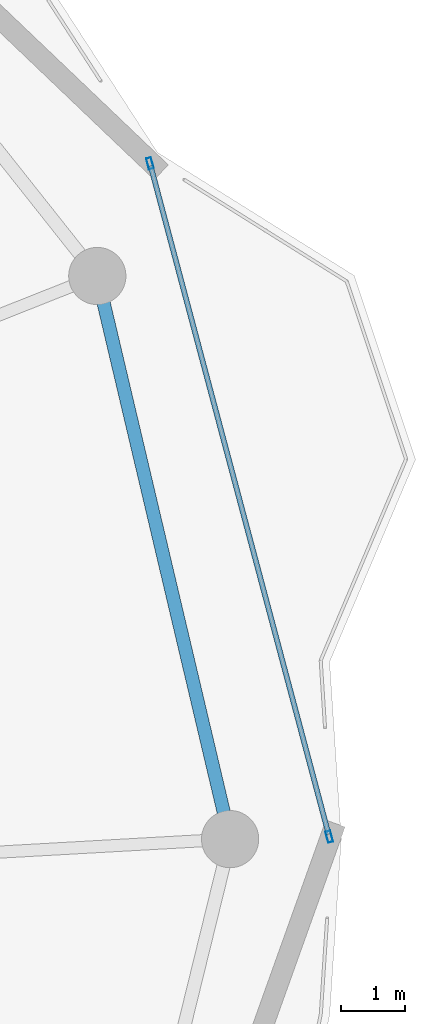
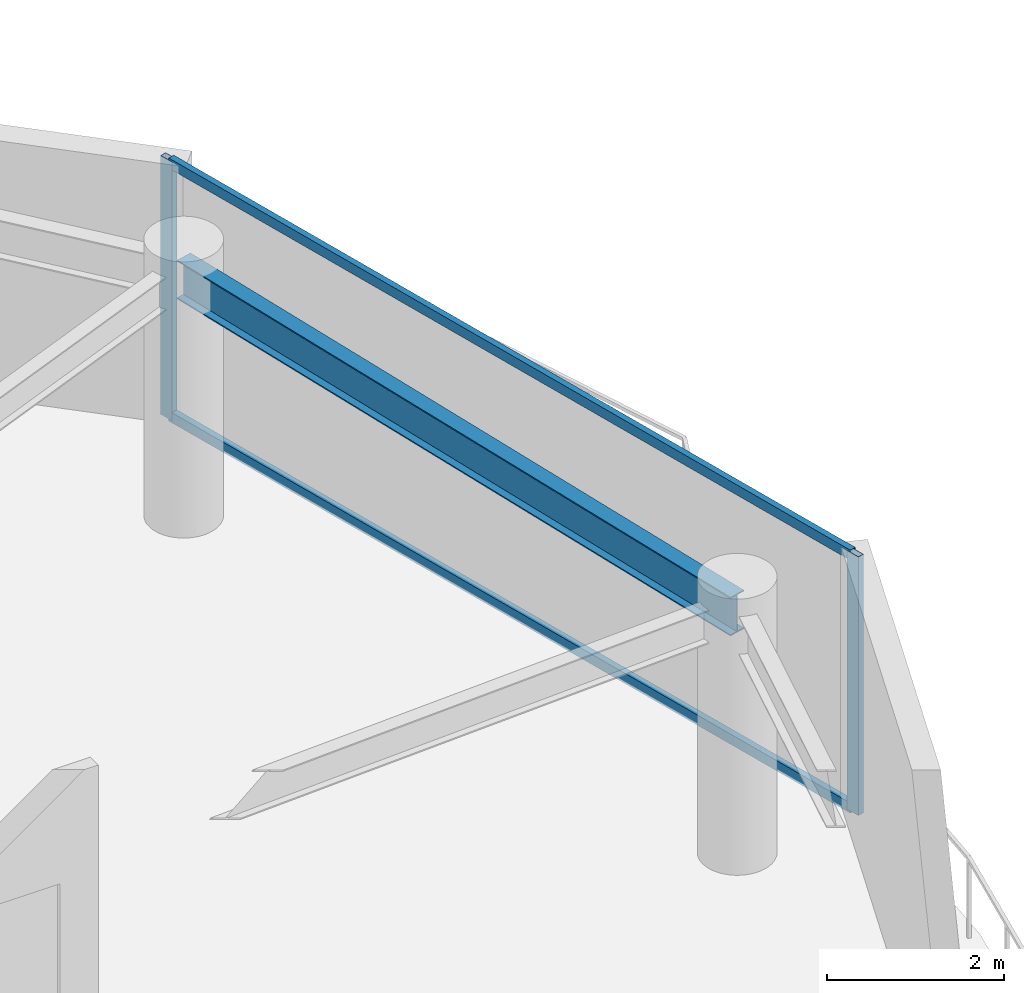
# One storey, part 17 of 29: 4 members, 1 beam, 1 element without a shape of its own.
"""IFC4 building model written with IfcOpenShell, lengths in metres."""

from ifc_helpers import new_model, si_unit, direction, frame, origin, origin_2d, place, context, subcontext, project, spatial, hollow_rectangle, i_section, extrude, material, layer, layer_set, material_profile, profile_set, type_object, element, aggregate, save


model = new_model("IFC4")

# Units and contexts
model_context = context("Model", 3, precision=1e-05, world=origin(), true_north=direction((0.0, 1.0)))
body_context = subcontext(model_context, "Body", "Model", "MODEL_VIEW")
ifc_project = project(units=[si_unit("LENGTHUNIT", "METRE"), si_unit("AREAUNIT", "SQUARE_METRE"), si_unit("VOLUMEUNIT", "CUBIC_METRE"), si_unit("PLANEANGLEUNIT", "RADIAN"), si_unit("MASSUNIT", "GRAM", prefix="KILO")], contexts=[model_context])

# Site, building, storey
site_placement = place(None, origin())
site = spatial("IfcSite", under=ifc_project, at=site_placement, CompositionType="ELEMENT")
building_placement = place(site_placement, origin())
building = spatial("IfcBuilding", under=site, at=building_placement, Name="Kazevale Care Tower and Concert Hall", CompositionType="ELEMENT")
storey_placement = place(building_placement, frame((0.0, 0.0, 285.199951171875)))
storey = spatial("IfcBuildingStorey", under=building, at=storey_placement, Name="L75", CompositionType="ELEMENT", Elevation=285.199951171875)

# Curtain wall, members
ifc_material_1 = material(Name="Aluminium 6063-T6 and Low-E Glass", Category="aluminium")
ifc_layer = layer(ifc_material_1, 0.179931640625)
ifc_layer_set = layer_set([ifc_layer], Name="Aluminium 6063-T6 and Low-E Glass")
curtain_wall_type = type_object("IfcCurtainWallType", Name="Waist & Upper Residential Curtain Wall CW-4", PredefinedType="NOTDEFINED", material=ifc_layer_set)
curtain_wall_placement = place(storey_placement, origin())
curtain_wall = element("IfcCurtainWall", 1, at=curtain_wall_placement, inside=storey, type_object=curtain_wall_type, Name="cw:L75:f18", PredefinedType="NOTDEFINED")
ifc_material_2 = material(Name="Aluminium 6063-T6", Category="aluminium")
ifc_material_profile_1 = material_profile(ifc_material_2, hollow_rectangle(XDim=0.080078125, YDim=0.179931640625, WallThickness=0.0048828125, at=origin_2d()), Name="ALU80x180x5")
ifc_profile_set_1 = profile_set([ifc_material_profile_1], Name="Aluminium 6063-T6")
member_type_1 = type_object("IfcMemberType", Name="CW-4 Mullion ALU80x180x5", PredefinedType="MULLION", material=ifc_profile_set_1)
member_1_placement = place(storey_placement, frame((71.189208984375, 48.63330078125, 0.0), z_axis=(0.0, 0.0, 1.0), x_axis=(0.966344563475, 0.257251209214, 0.0)))
member_1 = element("IfcMember", 2, at=member_1_placement, type_object=member_type_1, Name="CW-4 mullion 1", PredefinedType="MULLION", context=body_context, shape_type="SweptSolid", body=[
    extrude(hollow_rectangle(XDim=0.080078125, YDim=0.179931640625, WallThickness=0.0048828125, at=origin_2d()), origin(), (0.0, 0.0, 1.0), 3.56005859375),
])
member_2_placement = place(storey_placement, frame((74.009765625, 38.03857421875, 0.0), z_axis=(0.0, 0.0, 1.0), x_axis=(0.966344563475, 0.257251209214, 0.0)))
member_2 = element("IfcMember", 3, at=member_2_placement, type_object=member_type_1, Name="CW-4 mullion 2", PredefinedType="MULLION", context=body_context, shape_type="SweptSolid", body=[
    extrude(hollow_rectangle(XDim=0.080078125, YDim=0.179931640625, WallThickness=0.0048828125, at=origin_2d()), origin(), (0.0, 0.0, 1.0), 3.56005859375),
])
ifc_material_profile_2 = material_profile(ifc_material_2, hollow_rectangle(XDim=0.080078125, YDim=0.139892578125, WallThickness=0.00390625, at=origin_2d()), Name="ALU80x140x4")
ifc_profile_set_2 = profile_set([ifc_material_profile_2], Name="Aluminium 6063-T6")
member_type_2 = type_object("IfcMemberType", Name="CW-4 Transom ALU80x140x4", PredefinedType="USERDEFINED", material=ifc_profile_set_2)
member_3_placement = place(storey_placement, frame((71.199462890625, 48.5947265625, 0.0400390625), z_axis=(0.257270305529, -0.966339479631, 0.0), x_axis=(0.966339479631, 0.257270305529, 0.0)))
member_3 = element("IfcMember", 4, at=member_3_placement, type_object=member_type_2, Name="CW-4 transom 1.1", ObjectType="TRANSOM", PredefinedType="USERDEFINED", context=body_context, shape_type="SweptSolid", body=[
    extrude(hollow_rectangle(XDim=0.080078125, YDim=0.139892578125, WallThickness=0.00390625, at=origin_2d()), origin(), (0.0, 0.0, 1.0), 10.8837890625),
])
member_4_placement = place(storey_placement, frame((71.199462890625, 48.5947265625, 3.52001953125), z_axis=(0.257270305529, -0.966339479631, 0.0), x_axis=(0.966339479631, 0.257270305529, 0.0)))
member_4 = element("IfcMember", 5, at=member_4_placement, type_object=member_type_2, Name="CW-4 transom 1.2", ObjectType="TRANSOM", PredefinedType="USERDEFINED", context=body_context, shape_type="SweptSolid", body=[
    extrude(hollow_rectangle(XDim=0.080078125, YDim=0.139892578125, WallThickness=0.00390625, at=origin_2d()), origin(), (0.0, 0.0, 1.0), 10.8837890625),
])
aggregate(curtain_wall, [member_1, member_2, member_3, member_4])

# Beam
ifc_material_3 = material(Name="Steel ASTM A572 Gr 50", Category="steel")
ifc_material_profile_3 = material_profile(ifc_material_3, i_section(OverallWidth=0.208984375, OverallDepth=0.532958984375, WebThickness=0.01025390625, FlangeThickness=0.015625, at=origin_2d()), Name="W530x92")
ifc_profile_set_3 = profile_set([ifc_material_profile_3], Name="Steel ASTM A572 Gr 50")
beam_type = type_object("IfcBeamType", Name="Upper Ring Beam W530x92", PredefinedType="BEAM", material=ifc_profile_set_3)
beam_placement = place(storey_placement, frame((72.449951171875, 38.0, 3.29345703125), z_axis=(-0.229571460706, 0.973291808467, 0.0), x_axis=(-0.973291808467, -0.229571460706, 0.0)))
element("IfcBeam", 6, at=beam_placement, inside=storey, type_object=beam_type, Name="beam:L75:ring:01", PredefinedType="BEAM", context=body_context, shape_type="SweptSolid", body=[
    extrude(i_section(OverallWidth=0.208984375, OverallDepth=0.532958984375, WebThickness=0.01025390625, FlangeThickness=0.015625, at=origin_2d()), origin(), (0.0, 0.0, 1.0), 9.103271484375),
])

save(model, "model.ifc")
